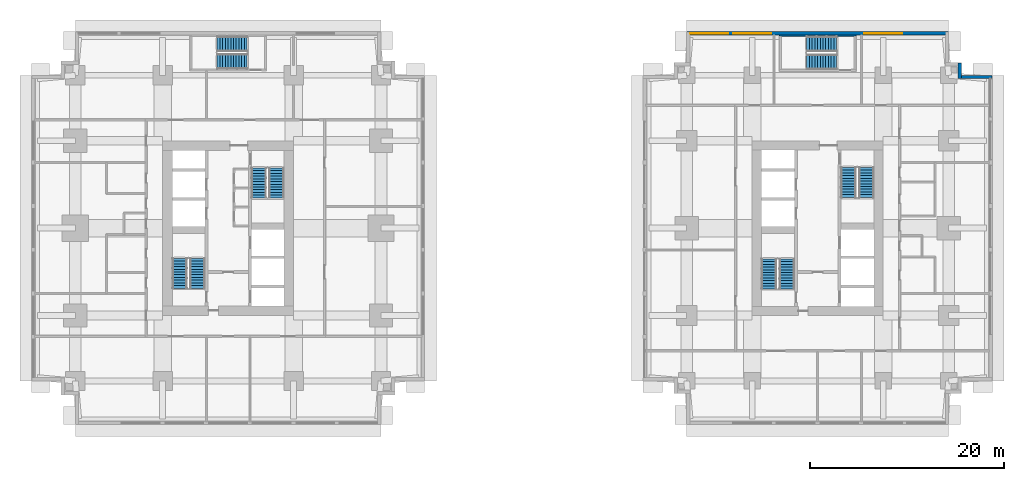
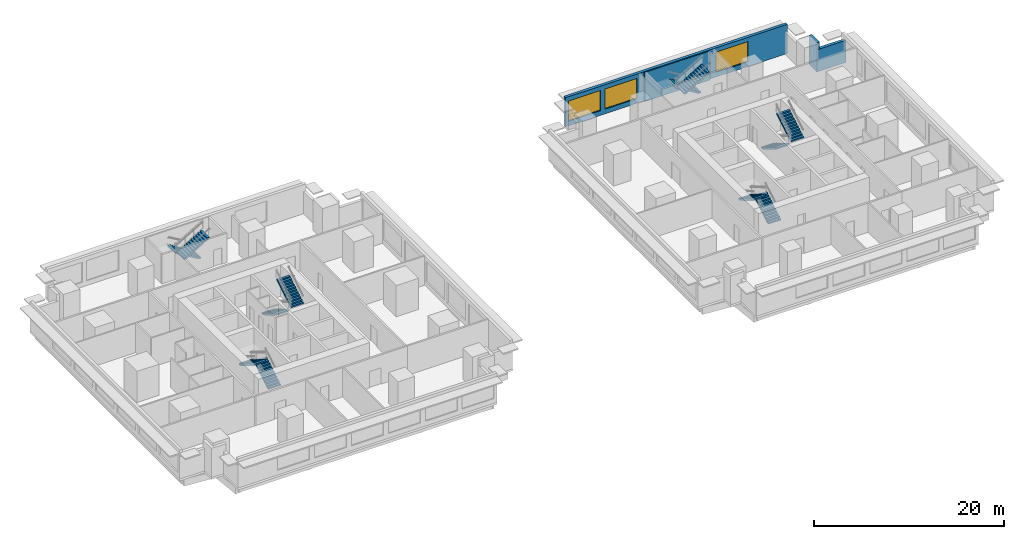
# One storey, part 8 of 11: 12 stair flights, 4 walls, 3 windows, 3 openings, 6 elements without a shape of their own.
"""IFC4 building model written with IfcOpenShell, lengths in metres."""

from ifc_helpers import new_model, si_unit, direction, frame, frame_2d, origin, place, context, subcontext, project, spatial, polyline, rectangle, outline, extrude, material, layer, layer_set, type_object, element, fill, aggregate, save


model = new_model("IFC4")

# Units and contexts
model_context = context("Model", 3, precision=1e-05, world=origin(), true_north=direction((0.0, 1.0)))
body_context = subcontext(model_context, "Body", "Model", "MODEL_VIEW")
ifc_project = project(units=[si_unit("LENGTHUNIT", "METRE"), si_unit("AREAUNIT", "SQUARE_METRE"), si_unit("VOLUMEUNIT", "CUBIC_METRE"), si_unit("PLANEANGLEUNIT", "RADIAN"), si_unit("MASSUNIT", "GRAM", prefix="KILO")], contexts=[model_context])

# Site, building, storey
site_placement = place(None, origin())
site = spatial("IfcSite", under=ifc_project, at=site_placement, CompositionType="ELEMENT")
building_placement = place(site_placement, origin())
building = spatial("IfcBuilding", under=site, at=building_placement, Name="Namib Vertical Campus", CompositionType="ELEMENT")
storey_placement = place(building_placement, frame((0.0, 0.0, 61.0)))
storey = spatial("IfcBuildingStorey", under=building, at=storey_placement, Name="L14", CompositionType="ELEMENT", Elevation=61.0)

# Walls
ifc_material_1 = material(Name="Concrete C40/50", Category="concrete")
ifc_layer_1 = layer(ifc_material_1, 0.35009765625)
ifc_layer_set_1 = layer_set([ifc_layer_1], Name="Concrete C40/50")
wall_type_1 = type_object("IfcWallType", Name="External wall 350 bush-hammered concrete", PredefinedType="STANDARD", material=ifc_layer_set_1)
wall_1_placement = place(storey_placement, frame((98.97998046875, 35.824951171875, 0.0), z_axis=(0.0, 0.0, 1.0), x_axis=(-1.0, 0.0, 0.0)))
element("IfcWall", 1, at=wall_1_placement, inside=storey, type_object=wall_type_1, Name="External wall L14 F07", PredefinedType="STANDARD", context=body_context, shape_type="SweptSolid", body=[
    extrude(rectangle(XDim=3.510009765625, YDim=0.35009765625, at=frame_2d((1.7548828125, 0.0))), origin(), (0.0, 0.0, 1.0), 2.85009765625),
])
wall_2_placement = place(storey_placement, frame((95.625, 35.669921875, 0.0), z_axis=(0.0, 0.0, 1.0), x_axis=(0.0, 1.0, 0.0)))
element("IfcWall", 2, at=wall_2_placement, inside=storey, type_object=wall_type_1, Name="External wall L14 F08", PredefinedType="STANDARD", context=body_context, shape_type="SweptSolid", body=[
    extrude(rectangle(XDim=1.610107421875, YDim=0.35009765625, at=frame_2d((0.80517578125, 0.0))), origin(), (0.0, 0.0, 1.0), 3.75),
])

# Wall, openings, windows
wall_3_placement = place(storey_placement, frame((94.47998046875, 40.324951171875, 0.0), z_axis=(0.0, 0.0, 1.0), x_axis=(-1.0, 0.0, 0.0)))
wall_3 = element("IfcWall", 3, at=wall_3_placement, inside=storey, type_object=wall_type_1, Name="External wall L14 F11", PredefinedType="STANDARD", context=body_context, shape_type="SweptSolid", body=[
    extrude(rectangle(XDim=26.9599609375, YDim=0.35009765625, at=frame_2d((13.47998046875, 0.0))), origin(), (0.0, 0.0, 1.0), 3.75),
])
opening_1_placement = place(wall_3_placement, frame((22.7099609375, 0.0, 0.60009765625)))
opening_1 = element("IfcOpeningElement", 4, at=opening_1_placement, cuts=wall_3, Name="Opening W2", PredefinedType="OPENING", context=body_context, shape_type="SweptSolid", body=[
    extrude(rectangle(XDim=3.89990234375, YDim=2.60009765625, at=frame_2d((1.949951171875, 1.300048828125))), frame((0.0, 0.18505859375, 0.0), z_axis=(0.0, -1.0, 0.0), x_axis=(1.0, 0.0, 0.0)), (0.0, 0.0, 1.0), 0.3701171875),
])
opening_2_placement = place(wall_3_placement, frame((18.280029296875, 0.0, 0.60009765625)))
opening_2 = element("IfcOpeningElement", 5, at=opening_2_placement, cuts=wall_3, Name="Opening W2", PredefinedType="OPENING", context=body_context, shape_type="SweptSolid", body=[
    extrude(rectangle(XDim=3.89990234375, YDim=2.60009765625, at=frame_2d((1.949951171875, 1.300048828125))), frame((0.0, 0.18505859375, 0.0), z_axis=(0.0, -1.0, 0.0), x_axis=(1.0, 0.0, 0.0)), (0.0, 0.0, 1.0), 0.3701171875),
])
opening_3_placement = place(wall_3_placement, frame((4.780029296875, 0.0, 0.60009765625)))
opening_3 = element("IfcOpeningElement", 6, at=opening_3_placement, cuts=wall_3, Name="Opening W2", PredefinedType="OPENING", context=body_context, shape_type="SweptSolid", body=[
    extrude(rectangle(XDim=3.89990234375, YDim=2.60009765625, at=frame_2d((1.949951171875, 1.300048828125))), frame((0.0, 0.18505859375, 0.0), z_axis=(0.0, -1.0, 0.0), x_axis=(1.0, 0.0, 0.0)), (0.0, 0.0, 1.0), 0.3701171875),
])
ifc_material_2 = material(Name="Dark tinted glass in black aluminium frame", Category="aluminium")
window_type = type_object("IfcWindowType", Name="Ribbon window 3900x2600", PartitioningType="SINGLE_PANEL", PredefinedType="WINDOW", material=ifc_material_2)
window_1_placement = place(opening_1_placement, origin())
window_1 = element("IfcWindow", 7, at=window_1_placement, inside=storey, type_object=window_type, Name="Window W2 L14 F11-1", OverallHeight=2.60009765625, OverallWidth=3.89990234375, PartitioningType="SINGLE_PANEL", PredefinedType="WINDOW", context=body_context, shape_type="SweptSolid", body=[
    extrude(rectangle(XDim=3.89990234375, YDim=2.60009765625, at=frame_2d((1.949951171875, 1.300048828125))), frame((0.0, 0.030029296875, 0.0), z_axis=(0.0, -1.0, 0.0), x_axis=(1.0, 0.0, 0.0)), (0.0, 0.0, 1.0), 0.06005859375),
])
fill(opening_1, window_1)
window_2_placement = place(opening_2_placement, origin())
window_2 = element("IfcWindow", 8, at=window_2_placement, inside=storey, type_object=window_type, Name="Window W2 L14 F11-2", OverallHeight=2.60009765625, OverallWidth=3.89990234375, PartitioningType="SINGLE_PANEL", PredefinedType="WINDOW", context=body_context, shape_type="SweptSolid", body=[
    extrude(rectangle(XDim=3.89990234375, YDim=2.60009765625, at=frame_2d((1.949951171875, 1.300048828125))), frame((0.0, 0.030029296875, 0.0), z_axis=(0.0, -1.0, 0.0), x_axis=(1.0, 0.0, 0.0)), (0.0, 0.0, 1.0), 0.06005859375),
])
fill(opening_2, window_2)
window_3_placement = place(opening_3_placement, origin())
window_3 = element("IfcWindow", 9, at=window_3_placement, inside=storey, type_object=window_type, Name="Window W2 L14 F11-5", OverallHeight=2.60009765625, OverallWidth=3.89990234375, PartitioningType="SINGLE_PANEL", PredefinedType="WINDOW", context=body_context, shape_type="SweptSolid", body=[
    extrude(rectangle(XDim=3.89990234375, YDim=2.60009765625, at=frame_2d((1.949951171875, 1.300048828125))), frame((0.0, 0.030029296875, 0.0), z_axis=(0.0, -1.0, 0.0), x_axis=(1.0, 0.0, 0.0)), (0.0, 0.0, 1.0), 0.06005859375),
])
fill(opening_3, window_3)

# Wall
ifc_material_3 = material(Name="Concrete C40/50", Category="concrete")
ifc_layer_2 = layer(ifc_material_3, 0.14990234375)
ifc_layer_set_2 = layer_set([ifc_layer_2], Name="Concrete C40/50")
wall_type_2 = type_object("IfcWallType", Name="Stair enclosure wall RC 150", PredefinedType="SOLIDWALL", material=ifc_layer_set_2)
wall_4_placement = place(storey_placement, frame((77.050048828125, 40.074951171875, 0.0), z_axis=(0.0, 0.0, 1.0), x_axis=(1.0, 0.0, 0.0)))
element("IfcWall", 10, at=wall_4_placement, inside=storey, type_object=wall_type_2, Name="Stair enclosure wall B-S3 L14 N", PredefinedType="SOLIDWALL", context=body_context, shape_type="SweptSolid", body=[
    extrude(rectangle(XDim=7.89990234375, YDim=0.14990234375, at=frame_2d((3.949951171875, 0.0))), origin(), (0.0, 0.0, 1.0), 3.75),
])

# Stair, stair flights
ifc_material_4 = material(Name="Concrete C40/50 precast", Category="concrete")
stair_type_1 = type_object("IfcStairType", Name="Exit stair 4000 rise 24 risers 3350 wide", PredefinedType="HALF_TURN_STAIR", material=ifc_material_4)
stair_1_placement = place(storey_placement, origin())
stair_1 = element("IfcStair", 11, at=stair_1_placement, inside=storey, type_object=stair_type_1, Name="Exit stair A-S1 L14", PredefinedType="HALF_TURN_STAIR")
ifc_material_5 = material(Name="Concrete C40/50 precast", Category="concrete")
stair_flight_type_1 = type_object("IfcStairFlightType", Name="Stair flight 12 risers 167 1525 wide", PredefinedType="STRAIGHT", material=ifc_material_5)
stair_flight_1_placement = place(storey_placement, frame((17.08740234375, 14.050048828125, 0.0), z_axis=(0.0, 0.0, 1.0), x_axis=(0.0, 1.0, 0.0)))
stair_flight_1 = element("IfcStairFlight", 12, at=stair_flight_1_placement, type_object=stair_flight_type_1, Name="A-S1 flight 1", NumberOfRisers=12, NumberOfTreads=11, PredefinedType="STRAIGHT", RiserHeight=0.166666667, TreadLength=0.28, context=body_context, shape_type="SweptSolid", body=[
    extrude(outline(polyline([(0.0, 0.0), (0.0, 0.166748046875), (0.280029296875, 0.166748046875), (0.280029296875, 0.333251953125), (0.56005859375, 0.333251953125), (0.56005859375, 0.5), (0.840087890625, 0.5), (0.840087890625, 0.666748046875), (1.1201171875, 0.666748046875), (1.1201171875, 0.833251953125), (1.39990234375, 0.833251953125), (1.39990234375, 1.0), (1.679931640625, 1.0), (1.679931640625, 1.166748046875), (1.9599609375, 1.166748046875), (1.9599609375, 1.333251953125), (2.239990234375, 1.333251953125), (2.239990234375, 1.5), (2.52001953125, 1.5), (2.52001953125, 1.666748046875), (2.800048828125, 1.666748046875), (2.800048828125, 1.833251953125), (3.080078125, 1.833251953125), (3.080078125, 2.0), (3.080078125, 1.658935546875), (0.29296875, 0.0), (0.0, 0.0)])), frame((0.0, 0.762451171875, 0.0), z_axis=(0.0, -1.0, 0.0), x_axis=(1.0, 0.0, 0.0)), (0.0, 0.0, 1.0), 1.52490234375),
])
stair_flight_2_placement = place(storey_placement, frame((15.262451171875, 17.1298828125, 2.0), z_axis=(0.0, 0.0, 1.0), x_axis=(0.0, -1.0, 0.0)))
stair_flight_2 = element("IfcStairFlight", 13, at=stair_flight_2_placement, type_object=stair_flight_type_1, Name="A-S1 flight 2", NumberOfRisers=12, NumberOfTreads=11, PredefinedType="STRAIGHT", RiserHeight=0.166666667, TreadLength=0.28, context=body_context, shape_type="SweptSolid", body=[
    extrude(outline(polyline([(0.0, 0.0), (0.0, 0.166748046875), (0.280029296875, 0.166748046875), (0.280029296875, 0.333251953125), (0.56005859375, 0.333251953125), (0.56005859375, 0.5), (0.840087890625, 0.5), (0.840087890625, 0.666748046875), (1.1201171875, 0.666748046875), (1.1201171875, 0.833251953125), (1.39990234375, 0.833251953125), (1.39990234375, 1.0), (1.679931640625, 1.0), (1.679931640625, 1.166748046875), (1.9599609375, 1.166748046875), (1.9599609375, 1.333251953125), (2.239990234375, 1.333251953125), (2.239990234375, 1.5), (2.52001953125, 1.5), (2.52001953125, 1.666748046875), (2.800048828125, 1.666748046875), (2.800048828125, 1.833251953125), (3.080078125, 1.833251953125), (3.080078125, 2.0), (3.080078125, 1.658935546875), (0.29296875, 0.0), (0.0, 0.0)])), frame((0.0, 0.762451171875, 0.0), z_axis=(0.0, -1.0, 0.0), x_axis=(1.0, 0.0, 0.0)), (0.0, 0.0, 1.0), 1.52490234375),
])
aggregate(stair_1, [stair_flight_1, stair_flight_2])

stair_2_placement = place(storey_placement, origin())
stair_2 = element("IfcStair", 14, at=stair_2_placement, inside=storey, type_object=stair_type_1, Name="Exit stair A-S2 L14", PredefinedType="HALF_TURN_STAIR")
stair_flight_3_placement = place(storey_placement, frame((23.41259765625, 26.449951171875, 0.0), z_axis=(0.0, 0.0, 1.0), x_axis=(0.0, -1.0, 0.0)))
stair_flight_3 = element("IfcStairFlight", 15, at=stair_flight_3_placement, type_object=stair_flight_type_1, Name="A-S2 flight 1", NumberOfRisers=12, NumberOfTreads=11, PredefinedType="STRAIGHT", RiserHeight=0.166666667, TreadLength=0.28, context=body_context, shape_type="SweptSolid", body=[
    extrude(outline(polyline([(0.0, 0.0), (0.0, 0.166748046875), (0.280029296875, 0.166748046875), (0.280029296875, 0.333251953125), (0.56005859375, 0.333251953125), (0.56005859375, 0.5), (0.840087890625, 0.5), (0.840087890625, 0.666748046875), (1.1201171875, 0.666748046875), (1.1201171875, 0.833251953125), (1.39990234375, 0.833251953125), (1.39990234375, 1.0), (1.679931640625, 1.0), (1.679931640625, 1.166748046875), (1.9599609375, 1.166748046875), (1.9599609375, 1.333251953125), (2.239990234375, 1.333251953125), (2.239990234375, 1.5), (2.52001953125, 1.5), (2.52001953125, 1.666748046875), (2.800048828125, 1.666748046875), (2.800048828125, 1.833251953125), (3.080078125, 1.833251953125), (3.080078125, 2.0), (3.080078125, 1.658935546875), (0.29296875, 0.0), (0.0, 0.0)])), frame((0.0, 0.762451171875, 0.0), z_axis=(0.0, -1.0, 0.0), x_axis=(1.0, 0.0, 0.0)), (0.0, 0.0, 1.0), 1.52490234375),
])
stair_flight_4_placement = place(storey_placement, frame((25.237548828125, 23.3701171875, 2.0), z_axis=(0.0, 0.0, 1.0), x_axis=(0.0, 1.0, 0.0)))
stair_flight_4 = element("IfcStairFlight", 16, at=stair_flight_4_placement, type_object=stair_flight_type_1, Name="A-S2 flight 2", NumberOfRisers=12, NumberOfTreads=11, PredefinedType="STRAIGHT", RiserHeight=0.166666667, TreadLength=0.28, context=body_context, shape_type="SweptSolid", body=[
    extrude(outline(polyline([(0.0, 0.0), (0.0, 0.166748046875), (0.280029296875, 0.166748046875), (0.280029296875, 0.333251953125), (0.56005859375, 0.333251953125), (0.56005859375, 0.5), (0.840087890625, 0.5), (0.840087890625, 0.666748046875), (1.1201171875, 0.666748046875), (1.1201171875, 0.833251953125), (1.39990234375, 0.833251953125), (1.39990234375, 1.0), (1.679931640625, 1.0), (1.679931640625, 1.166748046875), (1.9599609375, 1.166748046875), (1.9599609375, 1.333251953125), (2.239990234375, 1.333251953125), (2.239990234375, 1.5), (2.52001953125, 1.5), (2.52001953125, 1.666748046875), (2.800048828125, 1.666748046875), (2.800048828125, 1.833251953125), (3.080078125, 1.833251953125), (3.080078125, 2.0), (3.080078125, 1.658935546875), (0.29296875, 0.0), (0.0, 0.0)])), frame((0.0, 0.762451171875, 0.0), z_axis=(0.0, -1.0, 0.0), x_axis=(1.0, 0.0, 0.0)), (0.0, 0.0, 1.0), 1.52490234375),
])
aggregate(stair_2, [stair_flight_3, stair_flight_4])

stair_3_placement = place(storey_placement, origin())
stair_3 = element("IfcStair", 17, at=stair_3_placement, inside=storey, type_object=stair_type_1, Name="Exit stair A-S3 L14", PredefinedType="HALF_TURN_STAIR")
stair_flight_5_placement = place(storey_placement, frame((22.199951171875, 39.237548828125, 0.0), z_axis=(0.0, 0.0, 1.0), x_axis=(-1.0, 0.0, 0.0)))
stair_flight_5 = element("IfcStairFlight", 18, at=stair_flight_5_placement, type_object=stair_flight_type_1, Name="A-S3 flight 1", NumberOfRisers=12, NumberOfTreads=11, PredefinedType="STRAIGHT", RiserHeight=0.166666667, TreadLength=0.28, context=body_context, shape_type="SweptSolid", body=[
    extrude(outline(polyline([(0.0, 0.0), (0.0, 0.166748046875), (0.280029296875, 0.166748046875), (0.280029296875, 0.333251953125), (0.56005859375, 0.333251953125), (0.56005859375, 0.5), (0.840087890625, 0.5), (0.840087890625, 0.666748046875), (1.1201171875, 0.666748046875), (1.1201171875, 0.833251953125), (1.39990234375, 0.833251953125), (1.39990234375, 1.0), (1.679931640625, 1.0), (1.679931640625, 1.166748046875), (1.9599609375, 1.166748046875), (1.9599609375, 1.333251953125), (2.239990234375, 1.333251953125), (2.239990234375, 1.5), (2.52001953125, 1.5), (2.52001953125, 1.666748046875), (2.800048828125, 1.666748046875), (2.800048828125, 1.833251953125), (3.080078125, 1.833251953125), (3.080078125, 2.0), (3.080078125, 1.658935546875), (0.29296875, 0.0), (0.0, 0.0)])), frame((0.0, 0.762451171875, 0.0), z_axis=(0.0, -1.0, 0.0), x_axis=(1.0, 0.0, 0.0)), (0.0, 0.0, 1.0), 1.52490234375),
])
stair_flight_6_placement = place(storey_placement, frame((19.1201171875, 37.41259765625, 2.0), z_axis=(0.0, 0.0, 1.0), x_axis=(1.0, 0.0, 0.0)))
stair_flight_6 = element("IfcStairFlight", 19, at=stair_flight_6_placement, type_object=stair_flight_type_1, Name="A-S3 flight 2", NumberOfRisers=12, NumberOfTreads=11, PredefinedType="STRAIGHT", RiserHeight=0.166666667, TreadLength=0.28, context=body_context, shape_type="SweptSolid", body=[
    extrude(outline(polyline([(0.0, 0.0), (0.0, 0.166748046875), (0.280029296875, 0.166748046875), (0.280029296875, 0.333251953125), (0.56005859375, 0.333251953125), (0.56005859375, 0.5), (0.840087890625, 0.5), (0.840087890625, 0.666748046875), (1.1201171875, 0.666748046875), (1.1201171875, 0.833251953125), (1.39990234375, 0.833251953125), (1.39990234375, 1.0), (1.679931640625, 1.0), (1.679931640625, 1.166748046875), (1.9599609375, 1.166748046875), (1.9599609375, 1.333251953125), (2.239990234375, 1.333251953125), (2.239990234375, 1.5), (2.52001953125, 1.5), (2.52001953125, 1.666748046875), (2.800048828125, 1.666748046875), (2.800048828125, 1.833251953125), (3.080078125, 1.833251953125), (3.080078125, 2.0), (3.080078125, 1.658935546875), (0.29296875, 0.0), (0.0, 0.0)])), frame((0.0, 0.762451171875, 0.0), z_axis=(0.0, -1.0, 0.0), x_axis=(1.0, 0.0, 0.0)), (0.0, 0.0, 1.0), 1.52490234375),
])
aggregate(stair_3, [stair_flight_5, stair_flight_6])

ifc_material_6 = material(Name="Concrete C40/50 precast", Category="concrete")
stair_type_2 = type_object("IfcStairType", Name="Exit stair 4000 rise 24 risers 3400 wide", PredefinedType="HALF_TURN_STAIR", material=ifc_material_6)
stair_4_placement = place(storey_placement, origin())
stair_4 = element("IfcStair", 20, at=stair_4_placement, inside=storey, type_object=stair_type_2, Name="Exit stair B-S1 L14", PredefinedType="HALF_TURN_STAIR")
ifc_material_7 = material(Name="Concrete C40/50 precast", Category="concrete")
stair_flight_type_2 = type_object("IfcStairFlightType", Name="Stair flight 12 risers 167 1550 wide", PredefinedType="STRAIGHT", material=ifc_material_7)
stair_flight_7_placement = place(storey_placement, frame((77.824951171875, 14.0, 0.0), z_axis=(0.0, 0.0, 1.0), x_axis=(0.0, 1.0, 0.0)))
stair_flight_7 = element("IfcStairFlight", 21, at=stair_flight_7_placement, type_object=stair_flight_type_2, Name="B-S1 flight 1", NumberOfRisers=12, NumberOfTreads=11, PredefinedType="STRAIGHT", RiserHeight=0.166666667, TreadLength=0.28, context=body_context, shape_type="SweptSolid", body=[
    extrude(outline(polyline([(0.0, 0.0), (0.0, 0.166748046875), (0.280029296875, 0.166748046875), (0.280029296875, 0.333251953125), (0.56005859375, 0.333251953125), (0.56005859375, 0.5), (0.840087890625, 0.5), (0.840087890625, 0.666748046875), (1.1201171875, 0.666748046875), (1.1201171875, 0.833251953125), (1.39990234375, 0.833251953125), (1.39990234375, 1.0), (1.679931640625, 1.0), (1.679931640625, 1.166748046875), (1.9599609375, 1.166748046875), (1.9599609375, 1.333251953125), (2.239990234375, 1.333251953125), (2.239990234375, 1.5), (2.52001953125, 1.5), (2.52001953125, 1.666748046875), (2.800048828125, 1.666748046875), (2.800048828125, 1.833251953125), (3.080078125, 1.833251953125), (3.080078125, 2.0), (3.080078125, 1.658935546875), (0.29296875, 0.0), (0.0, 0.0)])), frame((0.0, 0.77490234375, 0.0), z_axis=(0.0, -1.0, 0.0), x_axis=(1.0, 0.0, 0.0)), (0.0, 0.0, 1.0), 1.550048828125),
])
stair_flight_8_placement = place(storey_placement, frame((75.97509765625, 17.080078125, 2.0), z_axis=(0.0, 0.0, 1.0), x_axis=(0.0, -1.0, 0.0)))
stair_flight_8 = element("IfcStairFlight", 22, at=stair_flight_8_placement, type_object=stair_flight_type_2, Name="B-S1 flight 2", NumberOfRisers=12, NumberOfTreads=11, PredefinedType="STRAIGHT", RiserHeight=0.166666667, TreadLength=0.28, context=body_context, shape_type="SweptSolid", body=[
    extrude(outline(polyline([(0.0, 0.0), (0.0, 0.166748046875), (0.280029296875, 0.166748046875), (0.280029296875, 0.333251953125), (0.56005859375, 0.333251953125), (0.56005859375, 0.5), (0.840087890625, 0.5), (0.840087890625, 0.666748046875), (1.1201171875, 0.666748046875), (1.1201171875, 0.833251953125), (1.39990234375, 0.833251953125), (1.39990234375, 1.0), (1.679931640625, 1.0), (1.679931640625, 1.166748046875), (1.9599609375, 1.166748046875), (1.9599609375, 1.333251953125), (2.239990234375, 1.333251953125), (2.239990234375, 1.5), (2.52001953125, 1.5), (2.52001953125, 1.666748046875), (2.800048828125, 1.666748046875), (2.800048828125, 1.833251953125), (3.080078125, 1.833251953125), (3.080078125, 2.0), (3.080078125, 1.658935546875), (0.29296875, 0.0), (0.0, 0.0)])), frame((0.0, 0.77490234375, 0.0), z_axis=(0.0, -1.0, 0.0), x_axis=(1.0, 0.0, 0.0)), (0.0, 0.0, 1.0), 1.550048828125),
])
aggregate(stair_4, [stair_flight_7, stair_flight_8])

stair_5_placement = place(storey_placement, origin())
stair_5 = element("IfcStair", 23, at=stair_5_placement, inside=storey, type_object=stair_type_2, Name="Exit stair B-S2 L14", PredefinedType="HALF_TURN_STAIR")
stair_flight_9_placement = place(storey_placement, frame((84.175048828125, 26.5, 0.0), z_axis=(0.0, 0.0, 1.0), x_axis=(0.0, -1.0, 0.0)))
stair_flight_9 = element("IfcStairFlight", 24, at=stair_flight_9_placement, type_object=stair_flight_type_2, Name="B-S2 flight 1", NumberOfRisers=12, NumberOfTreads=11, PredefinedType="STRAIGHT", RiserHeight=0.166666667, TreadLength=0.28, context=body_context, shape_type="SweptSolid", body=[
    extrude(outline(polyline([(0.0, 0.0), (0.0, 0.166748046875), (0.280029296875, 0.166748046875), (0.280029296875, 0.333251953125), (0.56005859375, 0.333251953125), (0.56005859375, 0.5), (0.840087890625, 0.5), (0.840087890625, 0.666748046875), (1.1201171875, 0.666748046875), (1.1201171875, 0.833251953125), (1.39990234375, 0.833251953125), (1.39990234375, 1.0), (1.679931640625, 1.0), (1.679931640625, 1.166748046875), (1.9599609375, 1.166748046875), (1.9599609375, 1.333251953125), (2.239990234375, 1.333251953125), (2.239990234375, 1.5), (2.52001953125, 1.5), (2.52001953125, 1.666748046875), (2.800048828125, 1.666748046875), (2.800048828125, 1.833251953125), (3.080078125, 1.833251953125), (3.080078125, 2.0), (3.080078125, 1.658935546875), (0.29296875, 0.0), (0.0, 0.0)])), frame((0.0, 0.77490234375, 0.0), z_axis=(0.0, -1.0, 0.0), x_axis=(1.0, 0.0, 0.0)), (0.0, 0.0, 1.0), 1.550048828125),
])
stair_flight_10_placement = place(storey_placement, frame((86.02490234375, 23.419921875, 2.0), z_axis=(0.0, 0.0, 1.0), x_axis=(0.0, 1.0, 0.0)))
stair_flight_10 = element("IfcStairFlight", 25, at=stair_flight_10_placement, type_object=stair_flight_type_2, Name="B-S2 flight 2", NumberOfRisers=12, NumberOfTreads=11, PredefinedType="STRAIGHT", RiserHeight=0.166666667, TreadLength=0.28, context=body_context, shape_type="SweptSolid", body=[
    extrude(outline(polyline([(0.0, 0.0), (0.0, 0.166748046875), (0.280029296875, 0.166748046875), (0.280029296875, 0.333251953125), (0.56005859375, 0.333251953125), (0.56005859375, 0.5), (0.840087890625, 0.5), (0.840087890625, 0.666748046875), (1.1201171875, 0.666748046875), (1.1201171875, 0.833251953125), (1.39990234375, 0.833251953125), (1.39990234375, 1.0), (1.679931640625, 1.0), (1.679931640625, 1.166748046875), (1.9599609375, 1.166748046875), (1.9599609375, 1.333251953125), (2.239990234375, 1.333251953125), (2.239990234375, 1.5), (2.52001953125, 1.5), (2.52001953125, 1.666748046875), (2.800048828125, 1.666748046875), (2.800048828125, 1.833251953125), (3.080078125, 1.833251953125), (3.080078125, 2.0), (3.080078125, 1.658935546875), (0.29296875, 0.0), (0.0, 0.0)])), frame((0.0, 0.77490234375, 0.0), z_axis=(0.0, -1.0, 0.0), x_axis=(1.0, 0.0, 0.0)), (0.0, 0.0, 1.0), 1.550048828125),
])
aggregate(stair_5, [stair_flight_9, stair_flight_10])

stair_6_placement = place(storey_placement, origin())
stair_6 = element("IfcStair", 26, at=stair_6_placement, inside=storey, type_object=stair_type_2, Name="Exit stair B-S3 L14", PredefinedType="HALF_TURN_STAIR")
stair_flight_11_placement = place(storey_placement, frame((82.949951171875, 39.22509765625, 0.0), z_axis=(0.0, 0.0, 1.0), x_axis=(-1.0, 0.0, 0.0)))
stair_flight_11 = element("IfcStairFlight", 27, at=stair_flight_11_placement, type_object=stair_flight_type_2, Name="B-S3 flight 1", NumberOfRisers=12, NumberOfTreads=11, PredefinedType="STRAIGHT", RiserHeight=0.166666667, TreadLength=0.28, context=body_context, shape_type="SweptSolid", body=[
    extrude(outline(polyline([(0.0, 0.0), (0.0, 0.166748046875), (0.280029296875, 0.166748046875), (0.280029296875, 0.333251953125), (0.56005859375, 0.333251953125), (0.56005859375, 0.5), (0.840087890625, 0.5), (0.840087890625, 0.666748046875), (1.1201171875, 0.666748046875), (1.1201171875, 0.833251953125), (1.39990234375, 0.833251953125), (1.39990234375, 1.0), (1.679931640625, 1.0), (1.679931640625, 1.166748046875), (1.9599609375, 1.166748046875), (1.9599609375, 1.333251953125), (2.239990234375, 1.333251953125), (2.239990234375, 1.5), (2.52001953125, 1.5), (2.52001953125, 1.666748046875), (2.800048828125, 1.666748046875), (2.800048828125, 1.833251953125), (3.080078125, 1.833251953125), (3.080078125, 2.0), (3.080078125, 1.658935546875), (0.29296875, 0.0), (0.0, 0.0)])), frame((0.0, 0.77490234375, 0.0), z_axis=(0.0, -1.0, 0.0), x_axis=(1.0, 0.0, 0.0)), (0.0, 0.0, 1.0), 1.550048828125),
])
stair_flight_12_placement = place(storey_placement, frame((79.8701171875, 37.375, 2.0), z_axis=(0.0, 0.0, 1.0), x_axis=(1.0, 0.0, 0.0)))
stair_flight_12 = element("IfcStairFlight", 28, at=stair_flight_12_placement, type_object=stair_flight_type_2, Name="B-S3 flight 2", NumberOfRisers=12, NumberOfTreads=11, PredefinedType="STRAIGHT", RiserHeight=0.166666667, TreadLength=0.28, context=body_context, shape_type="SweptSolid", body=[
    extrude(outline(polyline([(0.0, 0.0), (0.0, 0.166748046875), (0.280029296875, 0.166748046875), (0.280029296875, 0.333251953125), (0.56005859375, 0.333251953125), (0.56005859375, 0.5), (0.840087890625, 0.5), (0.840087890625, 0.666748046875), (1.1201171875, 0.666748046875), (1.1201171875, 0.833251953125), (1.39990234375, 0.833251953125), (1.39990234375, 1.0), (1.679931640625, 1.0), (1.679931640625, 1.166748046875), (1.9599609375, 1.166748046875), (1.9599609375, 1.333251953125), (2.239990234375, 1.333251953125), (2.239990234375, 1.5), (2.52001953125, 1.5), (2.52001953125, 1.666748046875), (2.800048828125, 1.666748046875), (2.800048828125, 1.833251953125), (3.080078125, 1.833251953125), (3.080078125, 2.0), (3.080078125, 1.658935546875), (0.29296875, 0.0), (0.0, 0.0)])), frame((0.0, 0.77490234375, 0.0), z_axis=(0.0, -1.0, 0.0), x_axis=(1.0, 0.0, 0.0)), (0.0, 0.0, 1.0), 1.550048828125),
])
aggregate(stair_6, [stair_flight_11, stair_flight_12])

save(model, "model.ifc")
